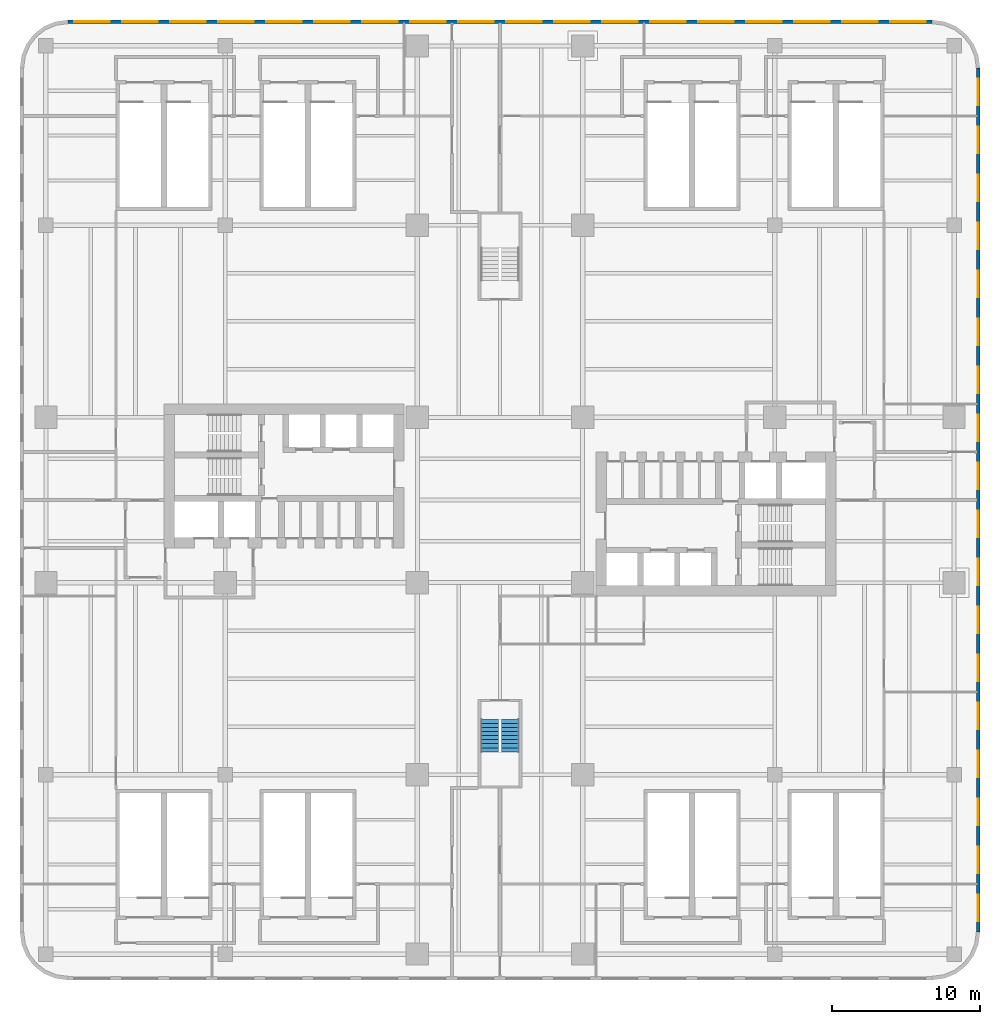
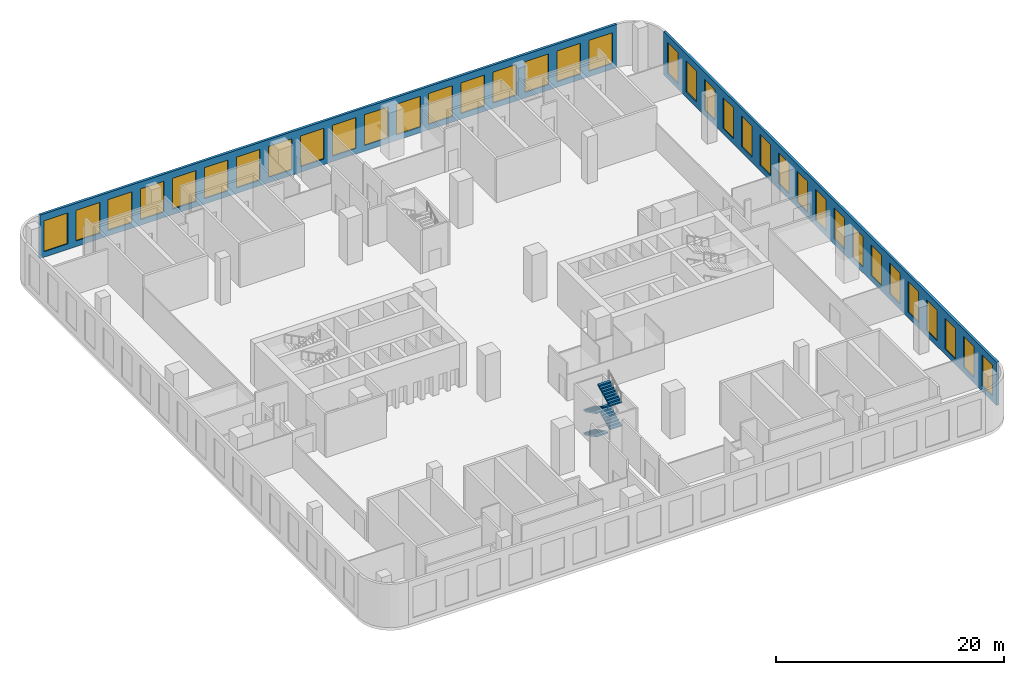
# One storey, part 11 of 13: 36 windows, 4 stair flights, 2 walls, 36 openings, 1 element without a shape of its own.
"""IFC4 building model written with IfcOpenShell, lengths in metres."""

from ifc_helpers import new_model, si_unit, direction, frame, frame_2d, origin, place, context, subcontext, project, spatial, polyline, rectangle, outline, extrude, source, transform, mapped, material, layer, layer_set, type_object, element, fill, aggregate, save


model = new_model("IFC4")

# Units and contexts
model_context = context("Model", 3, precision=1e-05, world=origin(), true_north=direction((0.0, 1.0)))
body_context = subcontext(model_context, "Body", "Model", "MODEL_VIEW")
ifc_project = project(units=[si_unit("LENGTHUNIT", "METRE"), si_unit("AREAUNIT", "SQUARE_METRE"), si_unit("VOLUMEUNIT", "CUBIC_METRE"), si_unit("PLANEANGLEUNIT", "RADIAN"), si_unit("MASSUNIT", "GRAM", prefix="KILO")], contexts=[model_context])

# Site, building, storey
site_placement = place(None, origin())
site = spatial("IfcSite", under=ifc_project, at=site_placement, CompositionType="ELEMENT")
building_placement = place(site_placement, origin())
building = spatial("IfcBuilding", under=site, at=building_placement, Name="Trellis Farm Tower", CompositionType="ELEMENT")
storey_placement = place(building_placement, frame((0.0, 0.0, 29.0)))
storey = spatial("IfcBuildingStorey", under=building, at=storey_placement, Name="L05", CompositionType="ELEMENT", Elevation=29.0)

# Wall, openings, windows
ifc_material_1 = material(Name="Sandstone faced insulated wall", Category="masonry")
ifc_layer = layer(ifc_material_1, 0.25)
ifc_layer_set = layer_set([ifc_layer], Name="STONE CLAD EXTERNAL WALL 250")
wall_type = type_object("IfcWallType", Name="STONE CLAD EXTERNAL WALL 250", PredefinedType="SOLIDWALL", material=ifc_layer_set)
shared_shape_1 = source(origin(), body_context, "Body", "SweptSolid", [
    extrude(rectangle(XDim=58.5, YDim=0.25, at=frame_2d((29.25, 0.0))), origin(), (0.0, 0.0, 1.0), 4.64990234375),
])
wall_1_placement = place(storey_placement, frame((32.375, -29.25, 0.0), z_axis=(0.0, 0.0, 1.0), x_axis=(0.0, 1.0, 0.0)))
wall_1 = element("IfcWall", 1, at=wall_1_placement, inside=storey, type_object=wall_type, Name="EW5 F01", PredefinedType="SOLIDWALL", context=body_context, shape_type="MappedRepresentation", body=[
    mapped(shared_shape_1, transform((0.0, 0.0, 0.0))),
])
shared_shape_2 = source(origin(), body_context, "Body", "SweptSolid", [
    extrude(rectangle(XDim=1.800048828125, YDim=3.300048828125, at=frame_2d((0.89990234375, 1.64990234375))), frame((0.0, 0.135009765625, 0.0), z_axis=(0.0, -1.0, 0.0), x_axis=(1.0, 0.0, 0.0)), (0.0, 0.0, 1.0), 0.27001953125),
])
opening_1_placement = place(wall_1_placement, frame((0.72509765625, 0.0, 0.60009765625)))
opening_1 = element("IfcOpeningElement", 2, at=opening_1_placement, cuts=wall_1, Name="Opening WN4", PredefinedType="OPENING", context=body_context, shape_type="MappedRepresentation", body=[
    mapped(shared_shape_2, transform((0.0, 0.0, 0.0))),
])
opening_2_placement = place(wall_1_placement, frame((3.97509765625, 0.0, 0.60009765625)))
opening_2 = element("IfcOpeningElement", 3, at=opening_2_placement, cuts=wall_1, Name="Opening WN4", PredefinedType="OPENING", context=body_context, shape_type="MappedRepresentation", body=[
    mapped(shared_shape_2, transform((0.0, 0.0, 0.0))),
])
opening_3_placement = place(wall_1_placement, frame((7.22509765625, 0.0, 0.60009765625)))
opening_3 = element("IfcOpeningElement", 4, at=opening_3_placement, cuts=wall_1, Name="Opening WN4", PredefinedType="OPENING", context=body_context, shape_type="MappedRepresentation", body=[
    mapped(shared_shape_2, transform((0.0, 0.0, 0.0))),
])
opening_4_placement = place(wall_1_placement, frame((10.47509765625, 0.0, 0.60009765625)))
opening_4 = element("IfcOpeningElement", 5, at=opening_4_placement, cuts=wall_1, Name="Opening WN4", PredefinedType="OPENING", context=body_context, shape_type="MappedRepresentation", body=[
    mapped(shared_shape_2, transform((0.0, 0.0, 0.0))),
])
opening_5_placement = place(wall_1_placement, frame((13.72509765625, 0.0, 0.60009765625)))
opening_5 = element("IfcOpeningElement", 6, at=opening_5_placement, cuts=wall_1, Name="Opening WN4", PredefinedType="OPENING", context=body_context, shape_type="MappedRepresentation", body=[
    mapped(shared_shape_2, transform((0.0, 0.0, 0.0))),
])
opening_6_placement = place(wall_1_placement, frame((16.97509765625, 0.0, 0.60009765625)))
opening_6 = element("IfcOpeningElement", 7, at=opening_6_placement, cuts=wall_1, Name="Opening WN4", PredefinedType="OPENING", context=body_context, shape_type="MappedRepresentation", body=[
    mapped(shared_shape_2, transform((0.0, 0.0, 0.0))),
])
opening_7_placement = place(wall_1_placement, frame((20.22509765625, 0.0, 0.60009765625)))
opening_7 = element("IfcOpeningElement", 8, at=opening_7_placement, cuts=wall_1, Name="Opening WN4", PredefinedType="OPENING", context=body_context, shape_type="MappedRepresentation", body=[
    mapped(shared_shape_2, transform((0.0, 0.0, 0.0))),
])
opening_8_placement = place(wall_1_placement, frame((23.47509765625, 0.0, 0.60009765625)))
opening_8 = element("IfcOpeningElement", 9, at=opening_8_placement, cuts=wall_1, Name="Opening WN4", PredefinedType="OPENING", context=body_context, shape_type="MappedRepresentation", body=[
    mapped(shared_shape_2, transform((0.0, 0.0, 0.0))),
])
opening_9_placement = place(wall_1_placement, frame((26.72509765625, 0.0, 0.60009765625)))
opening_9 = element("IfcOpeningElement", 10, at=opening_9_placement, cuts=wall_1, Name="Opening WN4", PredefinedType="OPENING", context=body_context, shape_type="MappedRepresentation", body=[
    mapped(shared_shape_2, transform((0.0, 0.0, 0.0))),
])
opening_10_placement = place(wall_1_placement, frame((29.97509765625, 0.0, 0.60009765625)))
opening_10 = element("IfcOpeningElement", 11, at=opening_10_placement, cuts=wall_1, Name="Opening WN4", PredefinedType="OPENING", context=body_context, shape_type="MappedRepresentation", body=[
    mapped(shared_shape_2, transform((0.0, 0.0, 0.0))),
])
opening_11_placement = place(wall_1_placement, frame((33.22509765625, 0.0, 0.60009765625)))
opening_11 = element("IfcOpeningElement", 12, at=opening_11_placement, cuts=wall_1, Name="Opening WN4", PredefinedType="OPENING", context=body_context, shape_type="MappedRepresentation", body=[
    mapped(shared_shape_2, transform((0.0, 0.0, 0.0))),
])
opening_12_placement = place(wall_1_placement, frame((36.47509765625, 0.0, 0.60009765625)))
opening_12 = element("IfcOpeningElement", 13, at=opening_12_placement, cuts=wall_1, Name="Opening WN4", PredefinedType="OPENING", context=body_context, shape_type="MappedRepresentation", body=[
    mapped(shared_shape_2, transform((0.0, 0.0, 0.0))),
])
opening_13_placement = place(wall_1_placement, frame((39.72509765625, 0.0, 0.60009765625)))
opening_13 = element("IfcOpeningElement", 14, at=opening_13_placement, cuts=wall_1, Name="Opening WN4", PredefinedType="OPENING", context=body_context, shape_type="MappedRepresentation", body=[
    mapped(shared_shape_2, transform((0.0, 0.0, 0.0))),
])
opening_14_placement = place(wall_1_placement, frame((42.97509765625, 0.0, 0.60009765625)))
opening_14 = element("IfcOpeningElement", 15, at=opening_14_placement, cuts=wall_1, Name="Opening WN4", PredefinedType="OPENING", context=body_context, shape_type="MappedRepresentation", body=[
    mapped(shared_shape_2, transform((0.0, 0.0, 0.0))),
])
opening_15_placement = place(wall_1_placement, frame((46.22509765625, 0.0, 0.60009765625)))
opening_15 = element("IfcOpeningElement", 16, at=opening_15_placement, cuts=wall_1, Name="Opening WN4", PredefinedType="OPENING", context=body_context, shape_type="MappedRepresentation", body=[
    mapped(shared_shape_2, transform((0.0, 0.0, 0.0))),
])
opening_16_placement = place(wall_1_placement, frame((49.47509765625, 0.0, 0.60009765625)))
opening_16 = element("IfcOpeningElement", 17, at=opening_16_placement, cuts=wall_1, Name="Opening WN4", PredefinedType="OPENING", context=body_context, shape_type="MappedRepresentation", body=[
    mapped(shared_shape_2, transform((0.0, 0.0, 0.0))),
])
opening_17_placement = place(wall_1_placement, frame((52.72509765625, 0.0, 0.60009765625)))
opening_17 = element("IfcOpeningElement", 18, at=opening_17_placement, cuts=wall_1, Name="Opening WN4", PredefinedType="OPENING", context=body_context, shape_type="MappedRepresentation", body=[
    mapped(shared_shape_2, transform((0.0, 0.0, 0.0))),
])
opening_18_placement = place(wall_1_placement, frame((55.97509765625, 0.0, 0.60009765625)))
opening_18 = element("IfcOpeningElement", 19, at=opening_18_placement, cuts=wall_1, Name="Opening WN4", PredefinedType="OPENING", context=body_context, shape_type="MappedRepresentation", body=[
    mapped(shared_shape_2, transform((0.0, 0.0, 0.0))),
])
ifc_material_2 = material(Name="Clear insulated glass", Category="glass")
window_type_1 = type_object("IfcWindowType", Name="PODIUM WINDOW 1800x3300", PartitioningType="SINGLE_PANEL", PredefinedType="WINDOW", material=ifc_material_2)
shared_shape_3 = source(origin(), body_context, "Body", "SweptSolid", [
    extrude(rectangle(XDim=1.800048828125, YDim=3.300048828125, at=frame_2d((0.89990234375, 1.64990234375))), frame((0.0, 0.030029296875, 0.0), z_axis=(0.0, -1.0, 0.0), x_axis=(1.0, 0.0, 0.0)), (0.0, 0.0, 1.0), 0.06005859375),
])
window_1_placement = place(opening_1_placement, origin())
window_1 = element("IfcWindow", 20, at=window_1_placement, inside=storey, type_object=window_type_1, Name="WN4 001", OverallHeight=3.300048828125, OverallWidth=1.800048828125, PartitioningType="SINGLE_PANEL", PredefinedType="WINDOW", context=body_context, shape_type="MappedRepresentation", body=[
    mapped(shared_shape_3, transform((0.0, 0.0, 0.0))),
])
fill(opening_1, window_1)
window_2_placement = place(opening_2_placement, origin())
window_2 = element("IfcWindow", 21, at=window_2_placement, inside=storey, type_object=window_type_1, Name="WN4 002", OverallHeight=3.300048828125, OverallWidth=1.800048828125, PartitioningType="SINGLE_PANEL", PredefinedType="WINDOW", context=body_context, shape_type="MappedRepresentation", body=[
    mapped(shared_shape_3, transform((0.0, 0.0, 0.0))),
])
fill(opening_2, window_2)
window_3_placement = place(opening_3_placement, origin())
window_3 = element("IfcWindow", 22, at=window_3_placement, inside=storey, type_object=window_type_1, Name="WN4 003", OverallHeight=3.300048828125, OverallWidth=1.800048828125, PartitioningType="SINGLE_PANEL", PredefinedType="WINDOW", context=body_context, shape_type="MappedRepresentation", body=[
    mapped(shared_shape_3, transform((0.0, 0.0, 0.0))),
])
fill(opening_3, window_3)
window_4_placement = place(opening_4_placement, origin())
window_4 = element("IfcWindow", 23, at=window_4_placement, inside=storey, type_object=window_type_1, Name="WN4 004", OverallHeight=3.300048828125, OverallWidth=1.800048828125, PartitioningType="SINGLE_PANEL", PredefinedType="WINDOW", context=body_context, shape_type="MappedRepresentation", body=[
    mapped(shared_shape_3, transform((0.0, 0.0, 0.0))),
])
fill(opening_4, window_4)
window_5_placement = place(opening_5_placement, origin())
window_5 = element("IfcWindow", 24, at=window_5_placement, inside=storey, type_object=window_type_1, Name="WN4 005", OverallHeight=3.300048828125, OverallWidth=1.800048828125, PartitioningType="SINGLE_PANEL", PredefinedType="WINDOW", context=body_context, shape_type="MappedRepresentation", body=[
    mapped(shared_shape_3, transform((0.0, 0.0, 0.0))),
])
fill(opening_5, window_5)
window_6_placement = place(opening_6_placement, origin())
window_6 = element("IfcWindow", 25, at=window_6_placement, inside=storey, type_object=window_type_1, Name="WN4 006", OverallHeight=3.300048828125, OverallWidth=1.800048828125, PartitioningType="SINGLE_PANEL", PredefinedType="WINDOW", context=body_context, shape_type="MappedRepresentation", body=[
    mapped(shared_shape_3, transform((0.0, 0.0, 0.0))),
])
fill(opening_6, window_6)
window_7_placement = place(opening_7_placement, origin())
window_7 = element("IfcWindow", 26, at=window_7_placement, inside=storey, type_object=window_type_1, Name="WN4 007", OverallHeight=3.300048828125, OverallWidth=1.800048828125, PartitioningType="SINGLE_PANEL", PredefinedType="WINDOW", context=body_context, shape_type="MappedRepresentation", body=[
    mapped(shared_shape_3, transform((0.0, 0.0, 0.0))),
])
fill(opening_7, window_7)
window_8_placement = place(opening_8_placement, origin())
window_8 = element("IfcWindow", 27, at=window_8_placement, inside=storey, type_object=window_type_1, Name="WN4 008", OverallHeight=3.300048828125, OverallWidth=1.800048828125, PartitioningType="SINGLE_PANEL", PredefinedType="WINDOW", context=body_context, shape_type="MappedRepresentation", body=[
    mapped(shared_shape_3, transform((0.0, 0.0, 0.0))),
])
fill(opening_8, window_8)
window_9_placement = place(opening_9_placement, origin())
window_9 = element("IfcWindow", 28, at=window_9_placement, inside=storey, type_object=window_type_1, Name="WN4 009", OverallHeight=3.300048828125, OverallWidth=1.800048828125, PartitioningType="SINGLE_PANEL", PredefinedType="WINDOW", context=body_context, shape_type="MappedRepresentation", body=[
    mapped(shared_shape_3, transform((0.0, 0.0, 0.0))),
])
fill(opening_9, window_9)
window_10_placement = place(opening_10_placement, origin())
window_10 = element("IfcWindow", 29, at=window_10_placement, inside=storey, type_object=window_type_1, Name="WN4 010", OverallHeight=3.300048828125, OverallWidth=1.800048828125, PartitioningType="SINGLE_PANEL", PredefinedType="WINDOW", context=body_context, shape_type="MappedRepresentation", body=[
    mapped(shared_shape_3, transform((0.0, 0.0, 0.0))),
])
fill(opening_10, window_10)
window_11_placement = place(opening_11_placement, origin())
window_11 = element("IfcWindow", 30, at=window_11_placement, inside=storey, type_object=window_type_1, Name="WN4 011", OverallHeight=3.300048828125, OverallWidth=1.800048828125, PartitioningType="SINGLE_PANEL", PredefinedType="WINDOW", context=body_context, shape_type="MappedRepresentation", body=[
    mapped(shared_shape_3, transform((0.0, 0.0, 0.0))),
])
fill(opening_11, window_11)
window_12_placement = place(opening_12_placement, origin())
window_12 = element("IfcWindow", 31, at=window_12_placement, inside=storey, type_object=window_type_1, Name="WN4 012", OverallHeight=3.300048828125, OverallWidth=1.800048828125, PartitioningType="SINGLE_PANEL", PredefinedType="WINDOW", context=body_context, shape_type="MappedRepresentation", body=[
    mapped(shared_shape_3, transform((0.0, 0.0, 0.0))),
])
fill(opening_12, window_12)
window_13_placement = place(opening_13_placement, origin())
window_13 = element("IfcWindow", 32, at=window_13_placement, inside=storey, type_object=window_type_1, Name="WN4 013", OverallHeight=3.300048828125, OverallWidth=1.800048828125, PartitioningType="SINGLE_PANEL", PredefinedType="WINDOW", context=body_context, shape_type="MappedRepresentation", body=[
    mapped(shared_shape_3, transform((0.0, 0.0, 0.0))),
])
fill(opening_13, window_13)
window_14_placement = place(opening_14_placement, origin())
window_14 = element("IfcWindow", 33, at=window_14_placement, inside=storey, type_object=window_type_1, Name="WN4 014", OverallHeight=3.300048828125, OverallWidth=1.800048828125, PartitioningType="SINGLE_PANEL", PredefinedType="WINDOW", context=body_context, shape_type="MappedRepresentation", body=[
    mapped(shared_shape_3, transform((0.0, 0.0, 0.0))),
])
fill(opening_14, window_14)
window_15_placement = place(opening_15_placement, origin())
window_15 = element("IfcWindow", 34, at=window_15_placement, inside=storey, type_object=window_type_1, Name="WN4 015", OverallHeight=3.300048828125, OverallWidth=1.800048828125, PartitioningType="SINGLE_PANEL", PredefinedType="WINDOW", context=body_context, shape_type="MappedRepresentation", body=[
    mapped(shared_shape_3, transform((0.0, 0.0, 0.0))),
])
fill(opening_15, window_15)
window_16_placement = place(opening_16_placement, origin())
window_16 = element("IfcWindow", 35, at=window_16_placement, inside=storey, type_object=window_type_1, Name="WN4 016", OverallHeight=3.300048828125, OverallWidth=1.800048828125, PartitioningType="SINGLE_PANEL", PredefinedType="WINDOW", context=body_context, shape_type="MappedRepresentation", body=[
    mapped(shared_shape_3, transform((0.0, 0.0, 0.0))),
])
fill(opening_16, window_16)
window_17_placement = place(opening_17_placement, origin())
window_17 = element("IfcWindow", 36, at=window_17_placement, inside=storey, type_object=window_type_1, Name="WN4 017", OverallHeight=3.300048828125, OverallWidth=1.800048828125, PartitioningType="SINGLE_PANEL", PredefinedType="WINDOW", context=body_context, shape_type="MappedRepresentation", body=[
    mapped(shared_shape_3, transform((0.0, 0.0, 0.0))),
])
fill(opening_17, window_17)
window_18_placement = place(opening_18_placement, origin())
window_18 = element("IfcWindow", 37, at=window_18_placement, inside=storey, type_object=window_type_1, Name="WN4 018", OverallHeight=3.300048828125, OverallWidth=1.800048828125, PartitioningType="SINGLE_PANEL", PredefinedType="WINDOW", context=body_context, shape_type="MappedRepresentation", body=[
    mapped(shared_shape_3, transform((0.0, 0.0, 0.0))),
])
fill(opening_18, window_18)

wall_2_placement = place(storey_placement, frame((29.25, 32.375, 0.0), z_axis=(0.0, 0.0, 1.0), x_axis=(-1.0, 0.0, 0.0)))
wall_2 = element("IfcWall", 38, at=wall_2_placement, inside=storey, type_object=wall_type, Name="EW5 F02", PredefinedType="SOLIDWALL", context=body_context, shape_type="MappedRepresentation", body=[
    mapped(shared_shape_1, transform((0.0, 0.0, 0.0))),
])
shared_shape_4 = source(origin(), body_context, "Body", "SweptSolid", [
    extrude(rectangle(XDim=2.39990234375, YDim=3.300048828125, at=frame_2d((1.199951171875, 1.64990234375))), frame((0.0, 0.135009765625, 0.0), z_axis=(0.0, -1.0, 0.0), x_axis=(1.0, 0.0, 0.0)), (0.0, 0.0, 1.0), 0.27001953125),
])
opening_19_placement = place(wall_2_placement, frame((0.425048828125, 0.0, 0.60009765625)))
opening_19 = element("IfcOpeningElement", 39, at=opening_19_placement, cuts=wall_2, Name="Opening WN3", PredefinedType="OPENING", context=body_context, shape_type="MappedRepresentation", body=[
    mapped(shared_shape_4, transform((0.0, 0.0, 0.0))),
])
opening_20_placement = place(wall_2_placement, frame((3.675048828125, 0.0, 0.60009765625)))
opening_20 = element("IfcOpeningElement", 40, at=opening_20_placement, cuts=wall_2, Name="Opening WN3", PredefinedType="OPENING", context=body_context, shape_type="MappedRepresentation", body=[
    mapped(shared_shape_4, transform((0.0, 0.0, 0.0))),
])
opening_21_placement = place(wall_2_placement, frame((6.925048828125, 0.0, 0.60009765625)))
opening_21 = element("IfcOpeningElement", 41, at=opening_21_placement, cuts=wall_2, Name="Opening WN3", PredefinedType="OPENING", context=body_context, shape_type="MappedRepresentation", body=[
    mapped(shared_shape_4, transform((0.0, 0.0, 0.0))),
])
opening_22_placement = place(wall_2_placement, frame((10.175048828125, 0.0, 0.60009765625)))
opening_22 = element("IfcOpeningElement", 42, at=opening_22_placement, cuts=wall_2, Name="Opening WN3", PredefinedType="OPENING", context=body_context, shape_type="MappedRepresentation", body=[
    mapped(shared_shape_4, transform((0.0, 0.0, 0.0))),
])
opening_23_placement = place(wall_2_placement, frame((13.425048828125, 0.0, 0.60009765625)))
opening_23 = element("IfcOpeningElement", 43, at=opening_23_placement, cuts=wall_2, Name="Opening WN3", PredefinedType="OPENING", context=body_context, shape_type="MappedRepresentation", body=[
    mapped(shared_shape_4, transform((0.0, 0.0, 0.0))),
])
opening_24_placement = place(wall_2_placement, frame((16.675048828125, 0.0, 0.60009765625)))
opening_24 = element("IfcOpeningElement", 44, at=opening_24_placement, cuts=wall_2, Name="Opening WN3", PredefinedType="OPENING", context=body_context, shape_type="MappedRepresentation", body=[
    mapped(shared_shape_4, transform((0.0, 0.0, 0.0))),
])
opening_25_placement = place(wall_2_placement, frame((19.925048828125, 0.0, 0.60009765625)))
opening_25 = element("IfcOpeningElement", 45, at=opening_25_placement, cuts=wall_2, Name="Opening WN3", PredefinedType="OPENING", context=body_context, shape_type="MappedRepresentation", body=[
    mapped(shared_shape_4, transform((0.0, 0.0, 0.0))),
])
opening_26_placement = place(wall_2_placement, frame((23.175048828125, 0.0, 0.60009765625)))
opening_26 = element("IfcOpeningElement", 46, at=opening_26_placement, cuts=wall_2, Name="Opening WN3", PredefinedType="OPENING", context=body_context, shape_type="MappedRepresentation", body=[
    mapped(shared_shape_4, transform((0.0, 0.0, 0.0))),
])
opening_27_placement = place(wall_2_placement, frame((26.425048828125, 0.0, 0.60009765625)))
opening_27 = element("IfcOpeningElement", 47, at=opening_27_placement, cuts=wall_2, Name="Opening WN3", PredefinedType="OPENING", context=body_context, shape_type="MappedRepresentation", body=[
    mapped(shared_shape_4, transform((0.0, 0.0, 0.0))),
])
opening_28_placement = place(wall_2_placement, frame((29.675048828125, 0.0, 0.60009765625)))
opening_28 = element("IfcOpeningElement", 48, at=opening_28_placement, cuts=wall_2, Name="Opening WN3", PredefinedType="OPENING", context=body_context, shape_type="MappedRepresentation", body=[
    mapped(shared_shape_4, transform((0.0, 0.0, 0.0))),
])
opening_29_placement = place(wall_2_placement, frame((32.925048828125, 0.0, 0.60009765625)))
opening_29 = element("IfcOpeningElement", 49, at=opening_29_placement, cuts=wall_2, Name="Opening WN3", PredefinedType="OPENING", context=body_context, shape_type="MappedRepresentation", body=[
    mapped(shared_shape_4, transform((0.0, 0.0, 0.0))),
])
opening_30_placement = place(wall_2_placement, frame((36.175048828125, 0.0, 0.60009765625)))
opening_30 = element("IfcOpeningElement", 50, at=opening_30_placement, cuts=wall_2, Name="Opening WN3", PredefinedType="OPENING", context=body_context, shape_type="MappedRepresentation", body=[
    mapped(shared_shape_4, transform((0.0, 0.0, 0.0))),
])
opening_31_placement = place(wall_2_placement, frame((39.425048828125, 0.0, 0.60009765625)))
opening_31 = element("IfcOpeningElement", 51, at=opening_31_placement, cuts=wall_2, Name="Opening WN3", PredefinedType="OPENING", context=body_context, shape_type="MappedRepresentation", body=[
    mapped(shared_shape_4, transform((0.0, 0.0, 0.0))),
])
opening_32_placement = place(wall_2_placement, frame((42.675048828125, 0.0, 0.60009765625)))
opening_32 = element("IfcOpeningElement", 52, at=opening_32_placement, cuts=wall_2, Name="Opening WN3", PredefinedType="OPENING", context=body_context, shape_type="MappedRepresentation", body=[
    mapped(shared_shape_4, transform((0.0, 0.0, 0.0))),
])
opening_33_placement = place(wall_2_placement, frame((45.925048828125, 0.0, 0.60009765625)))
opening_33 = element("IfcOpeningElement", 53, at=opening_33_placement, cuts=wall_2, Name="Opening WN3", PredefinedType="OPENING", context=body_context, shape_type="MappedRepresentation", body=[
    mapped(shared_shape_4, transform((0.0, 0.0, 0.0))),
])
opening_34_placement = place(wall_2_placement, frame((49.175048828125, 0.0, 0.60009765625)))
opening_34 = element("IfcOpeningElement", 54, at=opening_34_placement, cuts=wall_2, Name="Opening WN3", PredefinedType="OPENING", context=body_context, shape_type="MappedRepresentation", body=[
    mapped(shared_shape_4, transform((0.0, 0.0, 0.0))),
])
opening_35_placement = place(wall_2_placement, frame((52.425048828125, 0.0, 0.60009765625)))
opening_35 = element("IfcOpeningElement", 55, at=opening_35_placement, cuts=wall_2, Name="Opening WN3", PredefinedType="OPENING", context=body_context, shape_type="MappedRepresentation", body=[
    mapped(shared_shape_4, transform((0.0, 0.0, 0.0))),
])
opening_36_placement = place(wall_2_placement, frame((55.675048828125, 0.0, 0.60009765625)))
opening_36 = element("IfcOpeningElement", 56, at=opening_36_placement, cuts=wall_2, Name="Opening WN3", PredefinedType="OPENING", context=body_context, shape_type="MappedRepresentation", body=[
    mapped(shared_shape_4, transform((0.0, 0.0, 0.0))),
])
window_type_2 = type_object("IfcWindowType", Name="PODIUM WINDOW 2400x3300", PartitioningType="SINGLE_PANEL", PredefinedType="WINDOW", material=ifc_material_2)
shared_shape_5 = source(origin(), body_context, "Body", "SweptSolid", [
    extrude(rectangle(XDim=2.39990234375, YDim=3.300048828125, at=frame_2d((1.199951171875, 1.64990234375))), frame((0.0, 0.030029296875, 0.0), z_axis=(0.0, -1.0, 0.0), x_axis=(1.0, 0.0, 0.0)), (0.0, 0.0, 1.0), 0.06005859375),
])
window_19_placement = place(opening_19_placement, origin())
window_19 = element("IfcWindow", 57, at=window_19_placement, inside=storey, type_object=window_type_2, Name="WN3 019", OverallHeight=3.300048828125, OverallWidth=2.39990234375, PartitioningType="SINGLE_PANEL", PredefinedType="WINDOW", context=body_context, shape_type="MappedRepresentation", body=[
    mapped(shared_shape_5, transform((0.0, 0.0, 0.0))),
])
fill(opening_19, window_19)
window_20_placement = place(opening_20_placement, origin())
window_20 = element("IfcWindow", 58, at=window_20_placement, inside=storey, type_object=window_type_2, Name="WN3 020", OverallHeight=3.300048828125, OverallWidth=2.39990234375, PartitioningType="SINGLE_PANEL", PredefinedType="WINDOW", context=body_context, shape_type="MappedRepresentation", body=[
    mapped(shared_shape_5, transform((0.0, 0.0, 0.0))),
])
fill(opening_20, window_20)
window_21_placement = place(opening_21_placement, origin())
window_21 = element("IfcWindow", 59, at=window_21_placement, inside=storey, type_object=window_type_2, Name="WN3 021", OverallHeight=3.300048828125, OverallWidth=2.39990234375, PartitioningType="SINGLE_PANEL", PredefinedType="WINDOW", context=body_context, shape_type="MappedRepresentation", body=[
    mapped(shared_shape_5, transform((0.0, 0.0, 0.0))),
])
fill(opening_21, window_21)
window_22_placement = place(opening_22_placement, origin())
window_22 = element("IfcWindow", 60, at=window_22_placement, inside=storey, type_object=window_type_2, Name="WN3 022", OverallHeight=3.300048828125, OverallWidth=2.39990234375, PartitioningType="SINGLE_PANEL", PredefinedType="WINDOW", context=body_context, shape_type="MappedRepresentation", body=[
    mapped(shared_shape_5, transform((0.0, 0.0, 0.0))),
])
fill(opening_22, window_22)
window_23_placement = place(opening_23_placement, origin())
window_23 = element("IfcWindow", 61, at=window_23_placement, inside=storey, type_object=window_type_2, Name="WN3 023", OverallHeight=3.300048828125, OverallWidth=2.39990234375, PartitioningType="SINGLE_PANEL", PredefinedType="WINDOW", context=body_context, shape_type="MappedRepresentation", body=[
    mapped(shared_shape_5, transform((0.0, 0.0, 0.0))),
])
fill(opening_23, window_23)
window_24_placement = place(opening_24_placement, origin())
window_24 = element("IfcWindow", 62, at=window_24_placement, inside=storey, type_object=window_type_2, Name="WN3 024", OverallHeight=3.300048828125, OverallWidth=2.39990234375, PartitioningType="SINGLE_PANEL", PredefinedType="WINDOW", context=body_context, shape_type="MappedRepresentation", body=[
    mapped(shared_shape_5, transform((0.0, 0.0, 0.0))),
])
fill(opening_24, window_24)
window_25_placement = place(opening_25_placement, origin())
window_25 = element("IfcWindow", 63, at=window_25_placement, inside=storey, type_object=window_type_2, Name="WN3 025", OverallHeight=3.300048828125, OverallWidth=2.39990234375, PartitioningType="SINGLE_PANEL", PredefinedType="WINDOW", context=body_context, shape_type="MappedRepresentation", body=[
    mapped(shared_shape_5, transform((0.0, 0.0, 0.0))),
])
fill(opening_25, window_25)
window_26_placement = place(opening_26_placement, origin())
window_26 = element("IfcWindow", 64, at=window_26_placement, inside=storey, type_object=window_type_2, Name="WN3 026", OverallHeight=3.300048828125, OverallWidth=2.39990234375, PartitioningType="SINGLE_PANEL", PredefinedType="WINDOW", context=body_context, shape_type="MappedRepresentation", body=[
    mapped(shared_shape_5, transform((0.0, 0.0, 0.0))),
])
fill(opening_26, window_26)
window_27_placement = place(opening_27_placement, origin())
window_27 = element("IfcWindow", 65, at=window_27_placement, inside=storey, type_object=window_type_2, Name="WN3 027", OverallHeight=3.300048828125, OverallWidth=2.39990234375, PartitioningType="SINGLE_PANEL", PredefinedType="WINDOW", context=body_context, shape_type="MappedRepresentation", body=[
    mapped(shared_shape_5, transform((0.0, 0.0, 0.0))),
])
fill(opening_27, window_27)
window_28_placement = place(opening_28_placement, origin())
window_28 = element("IfcWindow", 66, at=window_28_placement, inside=storey, type_object=window_type_2, Name="WN3 028", OverallHeight=3.300048828125, OverallWidth=2.39990234375, PartitioningType="SINGLE_PANEL", PredefinedType="WINDOW", context=body_context, shape_type="MappedRepresentation", body=[
    mapped(shared_shape_5, transform((0.0, 0.0, 0.0))),
])
fill(opening_28, window_28)
window_29_placement = place(opening_29_placement, origin())
window_29 = element("IfcWindow", 67, at=window_29_placement, inside=storey, type_object=window_type_2, Name="WN3 029", OverallHeight=3.300048828125, OverallWidth=2.39990234375, PartitioningType="SINGLE_PANEL", PredefinedType="WINDOW", context=body_context, shape_type="MappedRepresentation", body=[
    mapped(shared_shape_5, transform((0.0, 0.0, 0.0))),
])
fill(opening_29, window_29)
window_30_placement = place(opening_30_placement, origin())
window_30 = element("IfcWindow", 68, at=window_30_placement, inside=storey, type_object=window_type_2, Name="WN3 030", OverallHeight=3.300048828125, OverallWidth=2.39990234375, PartitioningType="SINGLE_PANEL", PredefinedType="WINDOW", context=body_context, shape_type="MappedRepresentation", body=[
    mapped(shared_shape_5, transform((0.0, 0.0, 0.0))),
])
fill(opening_30, window_30)
window_31_placement = place(opening_31_placement, origin())
window_31 = element("IfcWindow", 69, at=window_31_placement, inside=storey, type_object=window_type_2, Name="WN3 031", OverallHeight=3.300048828125, OverallWidth=2.39990234375, PartitioningType="SINGLE_PANEL", PredefinedType="WINDOW", context=body_context, shape_type="MappedRepresentation", body=[
    mapped(shared_shape_5, transform((0.0, 0.0, 0.0))),
])
fill(opening_31, window_31)
window_32_placement = place(opening_32_placement, origin())
window_32 = element("IfcWindow", 70, at=window_32_placement, inside=storey, type_object=window_type_2, Name="WN3 032", OverallHeight=3.300048828125, OverallWidth=2.39990234375, PartitioningType="SINGLE_PANEL", PredefinedType="WINDOW", context=body_context, shape_type="MappedRepresentation", body=[
    mapped(shared_shape_5, transform((0.0, 0.0, 0.0))),
])
fill(opening_32, window_32)
window_33_placement = place(opening_33_placement, origin())
window_33 = element("IfcWindow", 71, at=window_33_placement, inside=storey, type_object=window_type_2, Name="WN3 033", OverallHeight=3.300048828125, OverallWidth=2.39990234375, PartitioningType="SINGLE_PANEL", PredefinedType="WINDOW", context=body_context, shape_type="MappedRepresentation", body=[
    mapped(shared_shape_5, transform((0.0, 0.0, 0.0))),
])
fill(opening_33, window_33)
window_34_placement = place(opening_34_placement, origin())
window_34 = element("IfcWindow", 72, at=window_34_placement, inside=storey, type_object=window_type_2, Name="WN3 034", OverallHeight=3.300048828125, OverallWidth=2.39990234375, PartitioningType="SINGLE_PANEL", PredefinedType="WINDOW", context=body_context, shape_type="MappedRepresentation", body=[
    mapped(shared_shape_5, transform((0.0, 0.0, 0.0))),
])
fill(opening_34, window_34)
window_35_placement = place(opening_35_placement, origin())
window_35 = element("IfcWindow", 73, at=window_35_placement, inside=storey, type_object=window_type_2, Name="WN3 035", OverallHeight=3.300048828125, OverallWidth=2.39990234375, PartitioningType="SINGLE_PANEL", PredefinedType="WINDOW", context=body_context, shape_type="MappedRepresentation", body=[
    mapped(shared_shape_5, transform((0.0, 0.0, 0.0))),
])
fill(opening_35, window_35)
window_36_placement = place(opening_36_placement, origin())
window_36 = element("IfcWindow", 74, at=window_36_placement, inside=storey, type_object=window_type_2, Name="WN3 036", OverallHeight=3.300048828125, OverallWidth=2.39990234375, PartitioningType="SINGLE_PANEL", PredefinedType="WINDOW", context=body_context, shape_type="MappedRepresentation", body=[
    mapped(shared_shape_5, transform((0.0, 0.0, 0.0))),
])
fill(opening_36, window_36)

# Stair, stair flights
ifc_material_3 = material(Name="Concrete C50/60", Category="concrete")
stair_type = type_object("IfcStairType", Name="CORE EXIT STAIR 36 RISERS 139 MM", PredefinedType="HALF_TURN_STAIR", material=ifc_material_3)
stair_placement = place(storey_placement, origin())
stair = element("IfcStair", 75, at=stair_placement, inside=storey, type_object=stair_type, Name="Exit stair S", PredefinedType="HALF_TURN_STAIR")
stair_flight_type = type_object("IfcStairFlightType", Name="STAIR FLIGHT 9 RISERS 139 MM", PredefinedType="STRAIGHT", material=ifc_material_3)
shared_shape_6 = source(origin(), body_context, "Body", "SweptSolid", [
    extrude(outline(polyline([(0.0, 0.0), (0.0, 0.138916015625), (0.27490234375, 0.138916015625), (0.27490234375, 0.27783203125), (0.550048828125, 0.27783203125), (0.550048828125, 0.416748046875), (0.824951171875, 0.416748046875), (0.824951171875, 0.5556640625), (1.10009765625, 0.5556640625), (1.10009765625, 0.6943359375), (1.375, 0.6943359375), (1.375, 0.833251953125), (1.64990234375, 0.833251953125), (1.64990234375, 0.97216796875), (1.925048828125, 0.97216796875), (1.925048828125, 1.111083984375), (2.199951171875, 1.111083984375), (2.199951171875, 1.25), (2.199951171875, 0.965576171875), (0.2880859375, 0.0), (0.0, 0.0)])), frame((0.0, 0.60009765625, 0.0), z_axis=(0.0, -1.0, 0.0), x_axis=(1.0, 0.0, 0.0)), (0.0, 0.0, 1.0), 1.199951171875),
])
stair_flight_1_placement = place(storey_placement, frame((-0.699951171875, -14.85009765625, 0.0), z_axis=(0.0, 0.0, 1.0), x_axis=(0.0, -1.0, 0.0)))
stair_flight_1 = element("IfcStairFlight", 76, at=stair_flight_1_placement, type_object=stair_flight_type, Name="STS flight 1", NumberOfRisers=9, NumberOfTreads=8, PredefinedType="STRAIGHT", RiserHeight=0.138888889, TreadLength=0.275, context=body_context, shape_type="MappedRepresentation", body=[
    mapped(shared_shape_6, transform((0.0, 0.0, 0.0))),
])
stair_flight_2_placement = place(storey_placement, frame((0.699951171875, -17.050048828125, 1.25), z_axis=(0.0, 0.0, 1.0), x_axis=(0.0, 1.0, 0.0)))
stair_flight_2 = element("IfcStairFlight", 77, at=stair_flight_2_placement, type_object=stair_flight_type, Name="STS flight 2", NumberOfRisers=9, NumberOfTreads=8, PredefinedType="STRAIGHT", RiserHeight=0.138888889, TreadLength=0.275, context=body_context, shape_type="MappedRepresentation", body=[
    mapped(shared_shape_6, transform((0.0, 0.0, 0.0))),
])
stair_flight_3_placement = place(storey_placement, frame((-0.699951171875, -14.85009765625, 2.5), z_axis=(0.0, 0.0, 1.0), x_axis=(0.0, -1.0, 0.0)))
stair_flight_3 = element("IfcStairFlight", 78, at=stair_flight_3_placement, type_object=stair_flight_type, Name="STS flight 3", NumberOfRisers=9, NumberOfTreads=8, PredefinedType="STRAIGHT", RiserHeight=0.138888889, TreadLength=0.275, context=body_context, shape_type="MappedRepresentation", body=[
    mapped(shared_shape_6, transform((0.0, 0.0, 0.0))),
])
stair_flight_4_placement = place(storey_placement, frame((0.699951171875, -17.050048828125, 3.75), z_axis=(0.0, 0.0, 1.0), x_axis=(0.0, 1.0, 0.0)))
stair_flight_4 = element("IfcStairFlight", 79, at=stair_flight_4_placement, type_object=stair_flight_type, Name="STS flight 4", NumberOfRisers=9, NumberOfTreads=8, PredefinedType="STRAIGHT", RiserHeight=0.138888889, TreadLength=0.275, context=body_context, shape_type="MappedRepresentation", body=[
    mapped(shared_shape_6, transform((0.0, 0.0, 0.0))),
])
aggregate(stair, [stair_flight_1, stair_flight_2, stair_flight_3, stair_flight_4])

save(model, "model.ifc")
